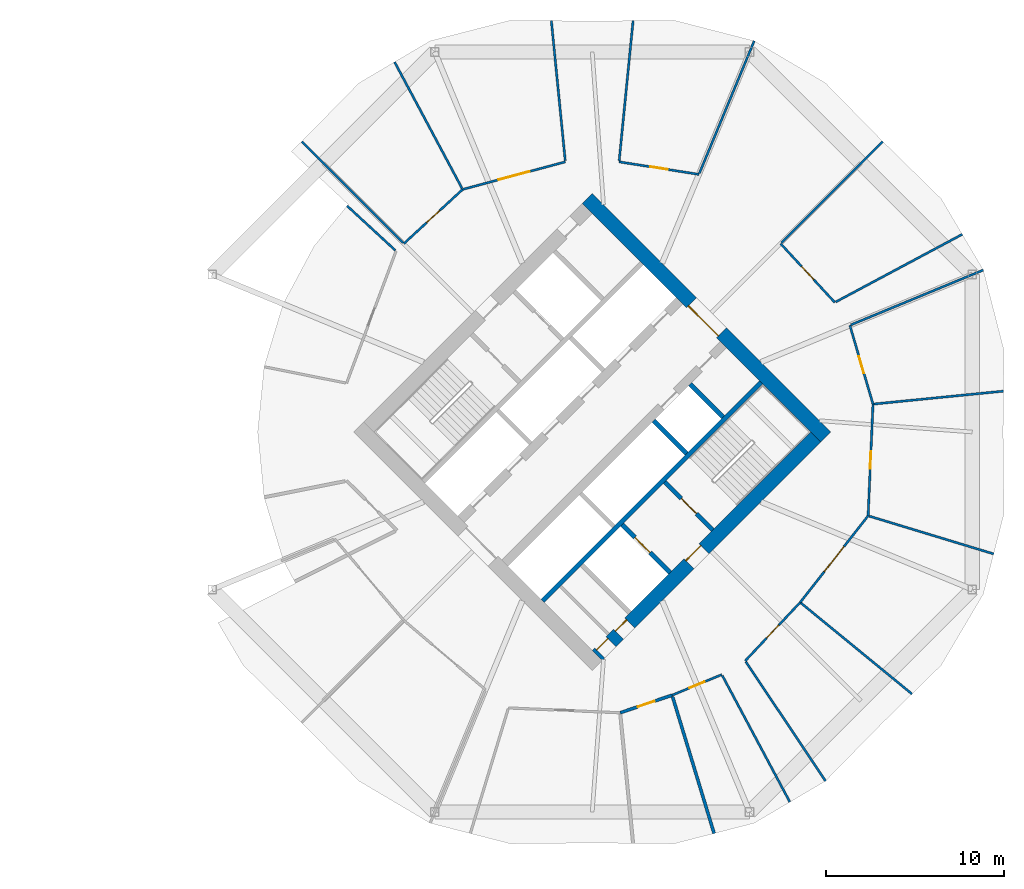
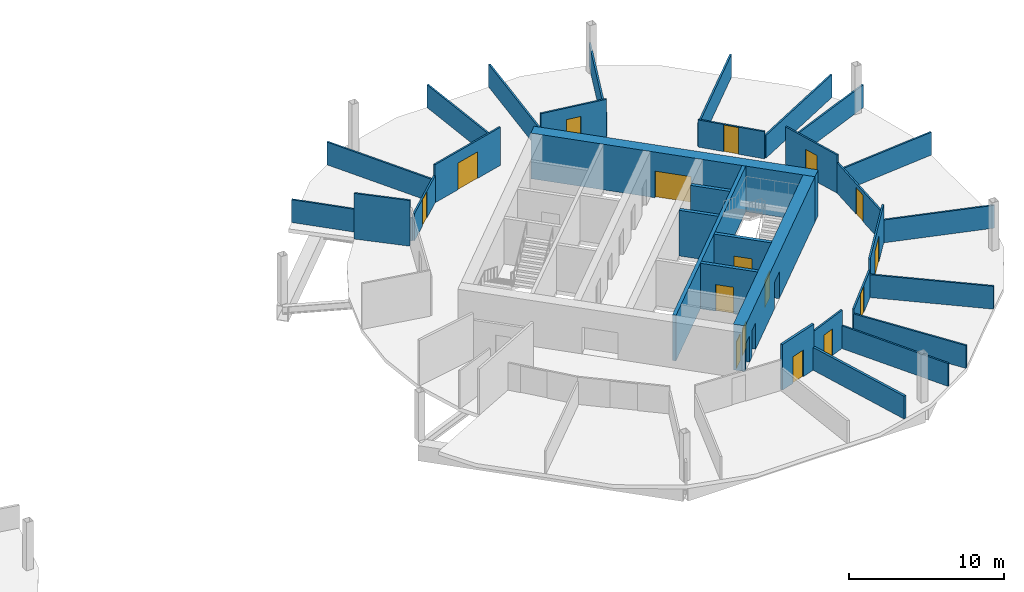
# One storey, part 7 of 9: 32 walls, 16 doors, 16 openings.
"""IFC4 building model written with IfcOpenShell, lengths in metres."""

import ifcopenshell
import ifcopenshell.guid

model = None  # the IFC model being written
_history = None  # IfcOwnerHistory: only IFC2X3 demands one
_inside = {}  # id of a spatial element -> (the spatial element, [elements in it])
_under = {}  # id of a project, library or spatial element -> (it, [spatial elements below it])
_declared = {}  # id of a project -> (the project, [libraries it declares])
_typed = {}  # id of a type object -> (the type object, [elements of that type])
_made_of = {}  # id of a material, layer set ... -> (it, [elements and type objects made of it])


def new_model(schema):
    """Start an empty IFC model of exactly this schema.

    Asked for "IFC4X3", IfcOpenShell would pick the latest addendum, in which some entities
    have other attributes; the version numbers below select the first issue.
    IFC2X3 requires an IfcOwnerHistory on every rooted entity: one is made here for all.
    """
    global model, _history
    if schema == "IFC4X3":
        model = ifcopenshell.file(schema_version=(4, 3, 0, 0))
    else:
        model = ifcopenshell.file(schema=schema)
    _inside.clear()
    _under.clear()
    _declared.clear()
    _typed.clear()
    _made_of.clear()
    _history = None
    if model.schema == "IFC2X3":
        org = make("IfcOrganization", Name="unknown")
        user = make(
            "IfcPersonAndOrganization",
            ThePerson=make("IfcPerson", FamilyName="unknown"),
            TheOrganization=org,
        )
        app = make(
            "IfcApplication",
            ApplicationDeveloper=org,
            Version="unknown",
            ApplicationFullName="unknown",
            ApplicationIdentifier="unknown",
        )
        _history = make(
            "IfcOwnerHistory",
            OwningUser=user,
            OwningApplication=app,
            ChangeAction="ADDED",
            CreationDate=0,
        )
    return model


def make(cls, **values):
    """One entity of the class cls with the attributes given. An attribute that is None is left unset."""
    return model.create_entity(
        cls, **{name: value for name, value in values.items() if value is not None}
    )


def rooted(cls, **values):
    """An entity with a GlobalId (a new one), such as an element, a storey or a relation."""
    return make(cls, GlobalId=ifcopenshell.guid.new(), OwnerHistory=_history, **values)


def si_unit(unit_type, name, prefix=None):
    """IfcSIUnit, for example si_unit("LENGTHUNIT", "METRE", prefix="MILLI")."""
    return make("IfcSIUnit", UnitType=unit_type, Prefix=prefix, Name=name)


def assignment(units):
    """IfcUnitAssignment: the units of a project."""
    return None if units is None else make("IfcUnitAssignment", Units=units)


def point(xyz):
    """IfcCartesianPoint."""
    return None if xyz is None else make("IfcCartesianPoint", Coordinates=xyz)


def direction(xyz):
    """IfcDirection."""
    return None if xyz is None else make("IfcDirection", DirectionRatios=xyz)


def frame(location, z_axis=None, x_axis=None):
    """IfcAxis2Placement3D, a coordinate frame: its origin and axes. An axis left out is left unset."""
    return make(
        "IfcAxis2Placement3D",
        Location=point(location),
        Axis=direction(z_axis),
        RefDirection=direction(x_axis),
    )


def frame_2d(location, x_axis=None):
    """IfcAxis2Placement2D, a coordinate frame in the plane: its origin and x axis."""
    return make(
        "IfcAxis2Placement2D", Location=point(location), RefDirection=direction(x_axis)
    )


def origin():
    """The frame at (0, 0, 0) with its axes left unset."""
    return frame((0.0, 0.0, 0.0))


def place(relative_to, where):
    """IfcLocalPlacement: puts the frame where relative to a parent placement (None: the world)."""
    return make(
        "IfcLocalPlacement", PlacementRelTo=relative_to, RelativePlacement=where
    )


def context(
    kind, dimensions, precision=None, world=None, true_north=None, identifier=None
):
    """IfcGeometricRepresentationContext, for example the 3D "Model" context."""
    return make(
        "IfcGeometricRepresentationContext",
        ContextIdentifier=identifier,
        ContextType=kind,
        CoordinateSpaceDimension=dimensions,
        Precision=precision,
        WorldCoordinateSystem=world,
        TrueNorth=true_north,
    )


def subcontext(parent, identifier, kind, view, scale=None):
    """IfcGeometricRepresentationSubContext, for example "Body" below "Model"."""
    return make(
        "IfcGeometricRepresentationSubContext",
        ContextIdentifier=identifier,
        ContextType=kind,
        ParentContext=parent,
        TargetScale=scale,
        TargetView=view,
    )


def project(units=None, contexts=None):
    """IfcProject with its units and contexts."""
    return rooted(
        "IfcProject",
        Name="project",
        RepresentationContexts=contexts,
        UnitsInContext=assignment(units),
    )


def spatial(cls, under=None, at=None, **own):
    """A site, building, storey or space (cls), placed at a placement, below another one or the project."""
    s = rooted(cls, ObjectPlacement=at, **own)
    if under is not None:
        _under.setdefault(under.id(), (under, []))[1].append(s)
    return s


def profile(cls, at=None, kind="AREA", **sizes):
    """A parametric profile (cls). Its sizes go by their IFC names, for example OverallWidth=200.0."""
    return make(cls, ProfileType=kind, Position=at, **sizes)


def rectangle(**sizes):
    """IfcRectangleProfileDef."""
    return profile("IfcRectangleProfileDef", **sizes)


def extrude(swept, where, along, depth):
    """IfcExtrudedAreaSolid: the profile swept, set in the frame where, extruded along a direction by depth."""
    return make(
        "IfcExtrudedAreaSolid",
        SweptArea=swept,
        Position=where,
        ExtrudedDirection=direction(along),
        Depth=depth,
    )


def shape(context_of_items, identifier, shape_type, items):
    """IfcShapeRepresentation: the items that make up one representation, for example the "Body"."""
    return make(
        "IfcShapeRepresentation",
        ContextOfItems=context_of_items,
        RepresentationIdentifier=identifier,
        RepresentationType=shape_type,
        Items=items,
    )


def material(Name=None, Category=None):
    """IfcMaterial."""
    return make("IfcMaterial", Name=Name, Category=Category)


def layer(
    of_material, thickness, ventilated=None, Name=None, Category=None, Priority=None
):
    """IfcMaterialLayer: one layer of a wall or slab, of a material (None: an air gap)."""
    return make(
        "IfcMaterialLayer",
        Material=of_material,
        LayerThickness=thickness,
        IsVentilated=ventilated,
        Name=Name,
        Category=Category,
        Priority=Priority,
    )


def layer_set(layers, Name=None):
    """IfcMaterialLayerSet."""
    return make("IfcMaterialLayerSet", MaterialLayers=layers, LayerSetName=Name)


def made_of(thing, what):
    """Note that an element or type object is made of a material, layer set ...; save() writes the relation."""
    if what is not None:
        _made_of.setdefault(what.id(), (what, []))[1].append(thing)
    return thing


def type_object(cls, material=None, **own):
    """A type object (cls), such as IfcWallType, which elements share."""
    return made_of(rooted(cls, **own), material)


def element(
    cls,
    number,
    at=None,
    inside=None,
    cuts=None,
    type_object=None,
    material=None,
    context=None,
    identifier="Body",
    shape_type=None,
    held_by="IfcProductDefinitionShape",
    body=None,
    shapes=None,
    **own,
):
    """One element of the class cls, such as IfcWall. Its Tag is "e" and its number.

    at: its placement. inside: the storey or other place that contains it. cuts: it is an
    opening in that element (IfcRelVoidsElement). A single representation is given by context,
    identifier, shape_type and body (its items); several are given by shapes. held_by: the class
    of the entity that holds the representations. save() writes the other relations.
    """
    e = rooted(cls, Tag="e%d" % number, ObjectPlacement=at, **own)
    if body is not None:
        shapes = [shape(context, identifier, shape_type, body)]
    if shapes is not None:
        e.Representation = make(held_by, Representations=shapes)
    if inside is not None:
        _inside.setdefault(inside.id(), (inside, []))[1].append(e)
    if cuts is not None:
        rooted(
            "IfcRelVoidsElement", RelatingBuildingElement=cuts, RelatedOpeningElement=e
        )
    if type_object is not None:
        _typed.setdefault(type_object.id(), (type_object, []))[1].append(e)
    return made_of(e, material)


def fill(opening, filler):
    """IfcRelFillsElement: the door or window that sits in an opening."""
    return rooted(
        "IfcRelFillsElement",
        RelatingOpeningElement=opening,
        RelatedBuildingElement=filler,
    )


def aggregate(whole, parts):
    """IfcRelAggregates: a whole, such as a stair, and the parts it consists of."""
    return rooted("IfcRelAggregates", RelatingObject=whole, RelatedObjects=parts)


def save(model, path):
    """Write the relations noted so far, then the file.

    IfcRelAggregates (storeys below a building ...), IfcRelContainedInSpatialStructure (elements
    in a storey), IfcRelDefinesByType, IfcRelAssociatesMaterial and IfcRelDeclares: one each for
    every whole, place, type object, material and project.
    """
    for whole, parts in _under.values():
        aggregate(whole, parts)
    for where, things in _inside.values():
        rooted(
            "IfcRelContainedInSpatialStructure",
            RelatedElements=things,
            RelatingStructure=where,
        )
    for kind, things in _typed.values():
        rooted("IfcRelDefinesByType", RelatedObjects=things, RelatingType=kind)
    for what, things in _made_of.values():
        rooted("IfcRelAssociatesMaterial", RelatedObjects=things, RelatingMaterial=what)
    for by, libraries in _declared.values():
        rooted("IfcRelDeclares", RelatingContext=by, RelatedDefinitions=libraries)
    model.write(path)


model = new_model("IFC4")

# Units and contexts
model_context = context("Model", 3, precision=1e-05, world=origin(), true_north=direction((0.0, 1.0)))
body_context = subcontext(model_context, "Body", "Model", "MODEL_VIEW")
ifc_project = project(units=[si_unit("LENGTHUNIT", "METRE"), si_unit("AREAUNIT", "SQUARE_METRE"), si_unit("VOLUMEUNIT", "CUBIC_METRE"), si_unit("PLANEANGLEUNIT", "RADIAN"), si_unit("MASSUNIT", "GRAM", prefix="KILO")], contexts=[model_context])

# Site, building, storey
site_placement = place(None, origin())
site = spatial("IfcSite", under=ifc_project, at=site_placement, CompositionType="ELEMENT")
building_placement = place(site_placement, origin())
building = spatial("IfcBuilding", under=site, at=building_placement, Name="Ogive Gate Towers", CompositionType="ELEMENT")
storey_placement = place(building_placement, frame((0.0, 0.0, 111.300048828125)))
storey = spatial("IfcBuildingStorey", under=building, at=storey_placement, Name="L26", CompositionType="ELEMENT", Elevation=111.300048828125)

# Wall
ifc_material_1 = material(Name="Gypsum board acoustic partition")
ifc_layer_1 = layer(ifc_material_1, 0.175048828125)
ifc_layer_set_1 = layer_set([ifc_layer_1], Name="Acoustic partition 175")
wall_type_1 = type_object("IfcWallType", Name="Acoustic partition 175", PredefinedType="PARTITIONING", material=ifc_layer_set_1)
wall_1_placement = place(storey_placement, frame((42.86376953125, -22.605712890625, 0.0), z_axis=(0.0, 0.0, 1.0), x_axis=(-0.290542582861, 0.956862062966, 0.0)))
element("IfcWall", 1, at=wall_1_placement, inside=storey, type_object=wall_type_1, Name="Partition T2-L26-019", PredefinedType="PARTITIONING", context=body_context, shape_type="SweptSolid", body=[
    extrude(rectangle(XDim=8.0517578125, YDim=0.175048828125, at=frame_2d((4.02587890625, 0.0))), origin(), (0.0, 0.0, 1.0), 1.800048828125),
])

# Wall, opening, door
wall_2_placement = place(storey_placement, frame((40.4990234375, -14.817626953125, 0.0), z_axis=(0.0, 0.0, 1.0), x_axis=(-0.947115929301, -0.320891596127, 0.0)))
wall_2 = element("IfcWall", 2, at=wall_2_placement, inside=storey, type_object=wall_type_1, Name="Partition T2-L26-035", PredefinedType="PARTITIONING", context=body_context, shape_type="SweptSolid", body=[
    extrude(rectangle(XDim=3.09130859375, YDim=0.175048828125, at=frame_2d((1.545654296875, 0.0))), origin(), (0.0, 0.0, 1.0), 3.599853515625),
])
opening_1_placement = place(wall_2_placement, frame((1.0458984375, 0.0, 0.0)))
opening_1 = element("IfcOpeningElement", 3, at=opening_1_placement, cuts=wall_2, Name="Opening T2-L26-D12", PredefinedType="OPENING", context=body_context, shape_type="SweptSolid", body=[
    extrude(rectangle(XDim=1.0, YDim=2.10009765625, at=frame_2d((0.5, 1.050048828125))), frame((0.0, 0.09765625, 0.0), z_axis=(0.0, -1.0, 0.0), x_axis=(1.0, 0.0, 0.0)), (0.0, 0.0, 1.0), 0.195068359375),
])
ifc_material_2 = material(Name="Timber door", Category="wood")
door_type_1 = type_object("IfcDoorType", Name="Door 1000", OperationType="NOTDEFINED", PredefinedType="DOOR", material=ifc_material_2)
door_1_placement = place(opening_1_placement, origin())
door_1 = element("IfcDoor", 4, at=door_1_placement, inside=storey, type_object=door_type_1, Name="Door T2-L26-D12", OperationType="SINGLE_SWING_RIGHT", OverallHeight=2.10009765625, OverallWidth=1.0, PredefinedType="DOOR", context=body_context, shape_type="SweptSolid", body=[
    extrude(rectangle(XDim=1.0, YDim=2.10009765625, at=frame_2d((0.5, 1.050048828125))), frame((0.0, 0.02490234375, 0.0), z_axis=(0.0, -1.0, 0.0), x_axis=(1.0, 0.0, 0.0)), (0.0, 0.0, 1.0), 0.050048828125),
])
fill(opening_1, door_1)

# Wall, openings, doors
ifc_material_3 = material(Name="Concrete C60/75", Category="concrete")
ifc_layer_2 = layer(ifc_material_3, 0.800048828125)
ifc_layer_set_2 = layer_set([ifc_layer_2], Name="Core wall 800 mm")
wall_type_2 = type_object("IfcWallType", Name="Core wall 800 mm", PredefinedType="SHEAR", material=ifc_layer_set_2)
wall_3_placement = place(storey_placement, frame((36.28271484375, -12.58642578125, 0.0), z_axis=(0.0, 0.0, 1.0), x_axis=(0.707106781187, 0.707106781187, 0.0)))
wall_3 = element("IfcWall", 5, at=wall_3_placement, inside=storey, type_object=wall_type_2, Name="T2 L26 Core wall 800 mm", PredefinedType="SHEAR", context=body_context, shape_type="SweptSolid", body=[
    extrude(rectangle(XDim=17.400146484375, YDim=0.800048828125, at=frame_2d((8.7001953125, 0.0))), origin(), (0.0, 0.0, 1.0), 3.599853515625),
])
opening_2_placement = place(wall_3_placement, frame((7.300048828125, 0.0, 0.0)))
opening_2 = element("IfcOpeningElement", 6, at=opening_2_placement, cuts=wall_3, Name="Opening KD-T2-L26-16", PredefinedType="OPENING", context=body_context, shape_type="SweptSolid", body=[
    extrude(rectangle(XDim=1.199951171875, YDim=2.10009765625, at=frame_2d((0.60009765625, 1.050048828125))), frame((0.0, 0.41015625, 0.0), z_axis=(0.0, -1.0, 0.0), x_axis=(1.0, 0.0, 0.0)), (0.0, 0.0, 1.0), 0.820068359375),
])
opening_3_placement = place(wall_3_placement, frame((0.199951171875, 0.0, 0.0)))
opening_3 = element("IfcOpeningElement", 7, at=opening_3_placement, cuts=wall_3, Name="Opening KD-T2-L26-18", PredefinedType="OPENING", context=body_context, shape_type="SweptSolid", body=[
    extrude(rectangle(XDim=0.89990234375, YDim=2.10009765625, at=frame_2d((0.449951171875, 1.050048828125))), frame((0.0, 0.41015625, 0.0), z_axis=(0.0, -1.0, 0.0), x_axis=(1.0, 0.0, 0.0)), (0.0, 0.0, 1.0), 0.820068359375),
])
opening_4_placement = place(wall_3_placement, frame((1.699951171875, 0.0, 0.0)))
opening_4 = element("IfcOpeningElement", 8, at=opening_4_placement, cuts=wall_3, Name="Opening KD-T2-L26-19", PredefinedType="OPENING", context=body_context, shape_type="SweptSolid", body=[
    extrude(rectangle(XDim=0.89990234375, YDim=2.10009765625, at=frame_2d((0.449951171875, 1.050048828125))), frame((0.0, 0.41015625, 0.0), z_axis=(0.0, -1.0, 0.0), x_axis=(1.0, 0.0, 0.0)), (0.0, 0.0, 1.0), 0.820068359375),
])
door_type_2 = type_object("IfcDoorType", Name="Core WC door 900 x 2100", OperationType="NOTDEFINED", PredefinedType="DOOR", material=ifc_material_2)
door_2_placement = place(opening_3_placement, origin())
door_2 = element("IfcDoor", 9, at=door_2_placement, inside=storey, type_object=door_type_2, Name="T2 L26 Core door", OperationType="SINGLE_SWING_LEFT", OverallHeight=2.10009765625, OverallWidth=0.89990234375, PredefinedType="DOOR", context=body_context, shape_type="SweptSolid", body=[
    extrude(rectangle(XDim=0.89990234375, YDim=2.10009765625, at=frame_2d((0.449951171875, 1.050048828125))), frame((0.0, 0.27490234375, 0.0), z_axis=(0.0, -1.0, 0.0), x_axis=(1.0, 0.0, 0.0)), (0.0, 0.0, 1.0), 0.050048828125),
])
fill(opening_3, door_2)
door_3_placement = place(opening_4_placement, origin())
door_3 = element("IfcDoor", 10, at=door_3_placement, inside=storey, type_object=door_type_2, Name="T2 L26 Core door", OperationType="SINGLE_SWING_RIGHT", OverallHeight=2.10009765625, OverallWidth=0.89990234375, PredefinedType="DOOR", context=body_context, shape_type="SweptSolid", body=[
    extrude(rectangle(XDim=0.89990234375, YDim=2.10009765625, at=frame_2d((0.449951171875, 1.050048828125))), frame((0.0, 0.27490234375, 0.0), z_axis=(0.0, -1.0, 0.0), x_axis=(1.0, 0.0, 0.0)), (0.0, 0.0, 1.0), 0.050048828125),
])
fill(opening_4, door_3)
ifc_material_4 = material(Name="Steel fire door", Category="steel")
door_type_3 = type_object("IfcDoorType", Name="Core door FD60S 1200 x 2100", OperationType="NOTDEFINED", PredefinedType="DOOR", material=ifc_material_4)
door_4_placement = place(opening_2_placement, origin())
door_4 = element("IfcDoor", 11, at=door_4_placement, inside=storey, type_object=door_type_3, Name="T2 L26 Fire-fighting lobby door", OperationType="SINGLE_SWING_LEFT", OverallHeight=2.10009765625, OverallWidth=1.199951171875, PredefinedType="DOOR", context=body_context, shape_type="SweptSolid", body=[
    extrude(rectangle(XDim=1.199951171875, YDim=2.10009765625, at=frame_2d((0.60009765625, 1.050048828125))), frame((0.0, 0.27490234375, 0.0), z_axis=(0.0, -1.0, 0.0), x_axis=(1.0, 0.0, 0.0)), (0.0, 0.0, 1.0), 0.050048828125),
])
fill(opening_2, door_4)

# Wall, opening, door
wall_4_placement = place(storey_placement, frame((49.152099609375, -0.28271484375, 0.0), z_axis=(0.0, 0.0, 1.0), x_axis=(-0.707106781187, 0.707106781187, 0.0)))
wall_4 = element("IfcWall", 12, at=wall_4_placement, inside=storey, type_object=wall_type_2, Name="T2 L26 Core wall 800 mm", PredefinedType="SHEAR", context=body_context, shape_type="SweptSolid", body=[
    extrude(rectangle(XDim=18.999755859375, YDim=0.800048828125, at=frame_2d((9.5, 0.0))), origin(), (0.0, 0.0, 1.0), 3.599853515625),
])
opening_5_placement = place(wall_4_placement, frame((8.300048828125, 0.0, 0.0)))
opening_5 = element("IfcOpeningElement", 13, at=opening_5_placement, cuts=wall_4, Name="Opening KD-T2-L26-02", PredefinedType="OPENING", context=body_context, shape_type="SweptSolid", body=[
    extrude(rectangle(XDim=2.39990234375, YDim=2.10009765625, at=frame_2d((1.199951171875, 1.050048828125))), frame((0.0, 0.41015625, 0.0), z_axis=(0.0, -1.0, 0.0), x_axis=(1.0, 0.0, 0.0)), (0.0, 0.0, 1.0), 0.820068359375),
])
door_type_4 = type_object("IfcDoorType", Name="Core double door FD60S 2400 x 2100", OperationType="DOUBLE_DOOR_SINGLE_SWING", PredefinedType="DOOR", material=ifc_material_4)
door_5_placement = place(opening_5_placement, origin())
door_5 = element("IfcDoor", 14, at=door_5_placement, inside=storey, type_object=door_type_4, Name="T2 L26 Core door double", OperationType="DOUBLE_DOOR_SINGLE_SWING", OverallHeight=2.10009765625, OverallWidth=2.39990234375, PredefinedType="DOOR", context=body_context, shape_type="SweptSolid", body=[
    extrude(rectangle(XDim=2.39990234375, YDim=2.10009765625, at=frame_2d((1.199951171875, 1.050048828125))), frame((0.0, 0.27490234375, 0.0), z_axis=(0.0, -1.0, 0.0), x_axis=(1.0, 0.0, 0.0)), (0.0, 0.0, 1.0), 0.050048828125),
])
fill(opening_5, door_5)

# Walls
ifc_material_5 = material(Name="Gypsum board partition")
ifc_layer_3 = layer(ifc_material_5, 0.125)
ifc_layer_set_3 = layer_set([ifc_layer_3], Name="Partition 125")
wall_type_3 = type_object("IfcWallType", Name="Partition 125", PredefinedType="PARTITIONING", material=ifc_layer_set_3)
wall_5_placement = place(storey_placement, frame((59.162353515625, 2.302001953125, 0.0), z_axis=(0.0, 0.0, 1.0), x_axis=(-0.99509705675, -0.098903223643, 0.0)))
element("IfcWall", 15, at=wall_5_placement, inside=storey, type_object=wall_type_3, Name="Partition T2-L26-001", PredefinedType="PARTITIONING", context=body_context, shape_type="SweptSolid", body=[
    extrude(rectangle(XDim=7.326416015625, YDim=0.125, at=frame_2d((3.6630859375, 0.0))), origin(), (0.0, 0.0, 1.0), 1.800048828125),
])
for number, where, z_axis, x_axis, name in (
    (16, (58.025390625, 9.123046875, 0.0), (0.0, 0.0, 1.0), (-0.923886042226, -0.382667716145, 0.0), "Partition T2-L26-002"),
    (17, (56.837890625, 11.13134765625, 0.0), (0.0, 0.0, 1.0), (-0.882040628853, -0.471173353505, 0.0), "Partition T2-L26-003"),
    (18, (52.36181640625, 16.36181640625, 0.0), (0.0, 0.0, 1.0), (-0.707106781187, -0.707106781187, 0.0), "Partition T2-L26-004"),
    (19, (45.123046875, 22.025390625, 0.0), (0.0, 0.0, 1.0), (-0.382667716145, -0.923886042226, 0.0), "Partition T2-L26-005"),
):
    element("IfcWall", number, at=place(storey_placement, frame(where, z_axis=z_axis, x_axis=x_axis)), inside=storey, type_object=wall_type_3, Name=name, PredefinedType="PARTITIONING", context=body_context, shape_type="SweptSolid", body=[
        extrude(rectangle(XDim=8.076416015625, YDim=0.125, at=frame_2d((4.0380859375, 0.0))), origin(), (0.0, 0.0, 1.0), 1.800048828125),
    ])
for number, where, z_axis, x_axis, name in (
    (20, (38.302001953125, 23.162353515625, 0.0), (0.0, 0.0, 1.0), (-0.09887242323, -0.995100117538, 0.0), "Partition T2-L26-006"),
    (21, (33.697998046875, 23.162353515625, 0.0), (0.0, 0.0, 1.0), (0.09887242323, -0.995100117538, 0.0), "Partition T2-L26-007"),
):
    element("IfcWall", number, at=place(storey_placement, frame(where, z_axis=z_axis, x_axis=x_axis)), inside=storey, type_object=wall_type_3, Name=name, PredefinedType="PARTITIONING", context=body_context, shape_type="SweptSolid", body=[
        extrude(rectangle(XDim=7.92626953125, YDim=0.125, at=frame_2d((3.963134765625, 0.0))), origin(), (0.0, 0.0, 1.0), 1.800048828125),
    ])
for number, where, z_axis, x_axis, name in (
    (22, (24.86865234375, 20.837890625, 0.0), (0.0, 0.0, 1.0), (0.471173353505, -0.882040628853, 0.0), "Partition T2-L26-008"),
    (23, (19.63818359375, 16.36181640625, 0.0), (0.0, 0.0, 1.0), (0.707106781187, -0.707106781187, 0.0), "Partition T2-L26-009"),
):
    element("IfcWall", number, at=place(storey_placement, frame(where, z_axis=z_axis, x_axis=x_axis)), inside=storey, type_object=wall_type_3, Name=name, PredefinedType="PARTITIONING", context=body_context, shape_type="SweptSolid", body=[
        extrude(rectangle(XDim=8.076416015625, YDim=0.125, at=frame_2d((4.0380859375, 0.0))), origin(), (0.0, 0.0, 1.0), 1.800048828125),
    ])
wall_6_placement = place(storey_placement, frame((22.197509765625, 12.735107421875, 0.0), z_axis=(0.0, 0.0, 1.0), x_axis=(0.734947989993, -0.678123478435, 0.0)))
element("IfcWall", 24, at=wall_6_placement, inside=storey, type_object=wall_type_3, Name="Partition T2-L26-010", PredefinedType="PARTITIONING", context=body_context, shape_type="SweptSolid", body=[
    extrude(rectangle(XDim=3.690673828125, YDim=0.125, at=frame_2d((1.84521484375, 0.0))), origin(), (0.0, 0.0, 1.0), 3.599853515625),
])
wall_7_placement = place(storey_placement, frame((47.13134765625, -20.837890625, 0.0), z_axis=(0.0, 0.0, 1.0), x_axis=(-0.471173353505, 0.882040628853, 0.0)))
element("IfcWall", 25, at=wall_7_placement, inside=storey, type_object=wall_type_3, Name="Partition T2-L26-020", PredefinedType="PARTITIONING", context=body_context, shape_type="SweptSolid", body=[
    extrude(rectangle(XDim=8.076416015625, YDim=0.125, at=frame_2d((4.0380859375, 0.0))), origin(), (0.0, 0.0, 1.0), 1.800048828125),
])
for number, where, z_axis, x_axis, name in (
    (26, (49.139892578125, -19.6513671875, 0.0), (0.0, 0.0, 1.0), (-0.555864597158, 0.831272849086, 0.0), "Partition T2-L26-021"),
    (27, (54.006103515625, -14.75048828125, 0.0), (0.0, 0.0, 1.0), (-0.773573317024, 0.633706811695, 0.0), "Partition T2-L26-022"),
):
    element("IfcWall", number, at=place(storey_placement, frame(where, z_axis=z_axis, x_axis=x_axis)), inside=storey, type_object=wall_type_3, Name=name, PredefinedType="PARTITIONING", context=body_context, shape_type="SweptSolid", body=[
        extrude(rectangle(XDim=8.07666015625, YDim=0.125, at=frame_2d((4.038330078125, 0.0))), origin(), (0.0, 0.0, 1.0), 1.800048828125),
    ])
wall_8_placement = place(storey_placement, frame((58.605712890625, -6.86376953125, 0.0), z_axis=(0.0, 0.0, 1.0), x_axis=(-0.956862546467, 0.290540990515, 0.0)))
element("IfcWall", 28, at=wall_8_placement, inside=storey, type_object=wall_type_3, Name="Partition T2-L26-023", PredefinedType="PARTITIONING", context=body_context, shape_type="SweptSolid", body=[
    extrude(rectangle(XDim=7.32666015625, YDim=0.125, at=frame_2d((3.663330078125, 0.0))), origin(), (0.0, 0.0, 1.0), 1.800048828125),
])

# Wall, opening, door
wall_9_placement = place(storey_placement, frame((25.393310546875, 10.606689453125, 0.0), z_axis=(0.0, 0.0, 1.0), x_axis=(0.73518166426, 0.677870135451, 0.0)))
wall_9 = element("IfcWall", 29, at=wall_9_placement, inside=storey, type_object=wall_type_3, Name="Partition T2-L26-026", PredefinedType="PARTITIONING", context=body_context, shape_type="SweptSolid", body=[
    extrude(rectangle(XDim=4.502685546875, YDim=0.125, at=frame_2d((2.25146484375, 0.0))), origin(), (0.0, 0.0, 1.0), 2.139892578125),
])
opening_6_placement = place(wall_9_placement, frame((1.7509765625, 0.0, 0.0)))
opening_6 = element("IfcOpeningElement", 30, at=opening_6_placement, cuts=wall_9, Name="Opening T2-L26-D03", PredefinedType="OPENING", context=body_context, shape_type="SweptSolid", body=[
    extrude(rectangle(XDim=1.0, YDim=2.10009765625, at=frame_2d((0.5, 1.050048828125))), frame((0.0, 0.072509765625, 0.0), z_axis=(0.0, -1.0, 0.0), x_axis=(1.0, 0.0, 0.0)), (0.0, 0.0, 1.0), 0.14501953125),
])
door_6_placement = place(opening_6_placement, origin())
door_6 = element("IfcDoor", 31, at=door_6_placement, inside=storey, type_object=door_type_1, Name="Door T2-L26-D03", OperationType="SINGLE_SWING_LEFT", OverallHeight=2.10009765625, OverallWidth=1.0, PredefinedType="DOOR", context=body_context, shape_type="SweptSolid", body=[
    extrude(rectangle(XDim=1.0, YDim=2.10009765625, at=frame_2d((0.5, 1.050048828125))), frame((0.0, 0.02490234375, 0.0), z_axis=(0.0, -1.0, 0.0), x_axis=(1.0, 0.0, 0.0)), (0.0, 0.0, 1.0), 0.050048828125),
])
fill(opening_6, door_6)

wall_10_placement = place(storey_placement, frame((28.70361328125, 13.658935546875, 0.0), z_axis=(0.0, 0.0, 1.0), x_axis=(0.965767901154, 0.259407712107, 0.0)))
wall_10 = element("IfcWall", 32, at=wall_10_placement, inside=storey, type_object=wall_type_3, Name="Partition T2-L26-027", PredefinedType="PARTITIONING", context=body_context, shape_type="SweptSolid", body=[
    extrude(rectangle(XDim=5.989501953125, YDim=0.125, at=frame_2d((2.99462890625, 0.0))), origin(), (0.0, 0.0, 1.0), 3.010009765625),
])
opening_7_placement = place(wall_10_placement, frame((2.094970703125, 0.0, 0.0)))
opening_7 = element("IfcOpeningElement", 33, at=opening_7_placement, cuts=wall_10, Name="Opening T2-L26-D04", PredefinedType="OPENING", context=body_context, shape_type="SweptSolid", body=[
    extrude(rectangle(XDim=1.800048828125, YDim=2.10009765625, at=frame_2d((0.89990234375, 1.050048828125))), frame((0.0, 0.072509765625, 0.0), z_axis=(0.0, -1.0, 0.0), x_axis=(1.0, 0.0, 0.0)), (0.0, 0.0, 1.0), 0.14501953125),
])
door_type_5 = type_object("IfcDoorType", Name="Door pair 1800", OperationType="NOTDEFINED", PredefinedType="DOOR", material=ifc_material_2)
door_7_placement = place(opening_7_placement, origin())
door_7 = element("IfcDoor", 34, at=door_7_placement, inside=storey, type_object=door_type_5, Name="Door T2-L26-D04", OperationType="DOUBLE_DOOR_DOUBLE_SWING", OverallHeight=2.10009765625, OverallWidth=1.800048828125, PredefinedType="DOOR", context=body_context, shape_type="SweptSolid", body=[
    extrude(rectangle(XDim=1.800048828125, YDim=2.10009765625, at=frame_2d((0.89990234375, 1.050048828125))), frame((0.0, 0.02490234375, 0.0), z_axis=(0.0, -1.0, 0.0), x_axis=(1.0, 0.0, 0.0)), (0.0, 0.0, 1.0), 0.050048828125),
])
fill(opening_7, door_7)

wall_11_placement = place(storey_placement, frame((37.511962890625, 15.212646484375, 0.0), z_axis=(0.0, 0.0, 1.0), x_axis=(0.987871014324, -0.155276717693, 0.0)))
wall_11 = element("IfcWall", 35, at=wall_11_placement, inside=storey, type_object=wall_type_3, Name="Partition T2-L26-028", PredefinedType="PARTITIONING", context=body_context, shape_type="SweptSolid", body=[
    extrude(rectangle(XDim=4.5517578125, YDim=0.125, at=frame_2d((2.27587890625, 0.0))), origin(), (0.0, 0.0, 1.0), 3.010009765625),
])
opening_8_placement = place(wall_11_placement, frame((1.77587890625, 0.0, 0.0)))
opening_8 = element("IfcOpeningElement", 36, at=opening_8_placement, cuts=wall_11, Name="Opening T2-L26-D05", PredefinedType="OPENING", context=body_context, shape_type="SweptSolid", body=[
    extrude(rectangle(XDim=1.0, YDim=2.10009765625, at=frame_2d((0.5, 1.050048828125))), frame((0.0, 0.072509765625, 0.0), z_axis=(0.0, -1.0, 0.0), x_axis=(1.0, 0.0, 0.0)), (0.0, 0.0, 1.0), 0.14501953125),
])
door_8_placement = place(opening_8_placement, origin())
door_8 = element("IfcDoor", 37, at=door_8_placement, inside=storey, type_object=door_type_1, Name="Door T2-L26-D05", OperationType="SINGLE_SWING_RIGHT", OverallHeight=2.10009765625, OverallWidth=1.0, PredefinedType="DOOR", context=body_context, shape_type="SweptSolid", body=[
    extrude(rectangle(XDim=1.0, YDim=2.10009765625, at=frame_2d((0.5, 1.050048828125))), frame((0.0, 0.02490234375, 0.0), z_axis=(0.0, -1.0, 0.0), x_axis=(1.0, 0.0, 0.0)), (0.0, 0.0, 1.0), 0.050048828125),
])
fill(opening_8, door_8)

wall_12_placement = place(storey_placement, frame((46.606689453125, 10.606689453125, 0.0), z_axis=(0.0, 0.0, 1.0), x_axis=(0.677870135451, -0.73518166426, 0.0)))
wall_12 = element("IfcWall", 38, at=wall_12_placement, inside=storey, type_object=wall_type_3, Name="Partition T2-L26-029", PredefinedType="PARTITIONING", context=body_context, shape_type="SweptSolid", body=[
    extrude(rectangle(XDim=4.502685546875, YDim=0.125, at=frame_2d((2.25146484375, 0.0))), origin(), (0.0, 0.0, 1.0), 2.139892578125),
])
opening_9_placement = place(wall_12_placement, frame((1.7509765625, 0.0, 0.0)))
opening_9 = element("IfcOpeningElement", 39, at=opening_9_placement, cuts=wall_12, Name="Opening T2-L26-D06", PredefinedType="OPENING", context=body_context, shape_type="SweptSolid", body=[
    extrude(rectangle(XDim=1.0, YDim=2.10009765625, at=frame_2d((0.5, 1.050048828125))), frame((0.0, 0.072509765625, 0.0), z_axis=(0.0, -1.0, 0.0), x_axis=(1.0, 0.0, 0.0)), (0.0, 0.0, 1.0), 0.14501953125),
])
door_9_placement = place(opening_9_placement, origin())
door_9 = element("IfcDoor", 40, at=door_9_placement, inside=storey, type_object=door_type_1, Name="Door T2-L26-D06", OperationType="SINGLE_SWING_RIGHT", OverallHeight=2.10009765625, OverallWidth=1.0, PredefinedType="DOOR", context=body_context, shape_type="SweptSolid", body=[
    extrude(rectangle(XDim=1.0, YDim=2.10009765625, at=frame_2d((0.5, 1.050048828125))), frame((0.0, 0.02490234375, 0.0), z_axis=(0.0, -1.0, 0.0), x_axis=(1.0, 0.0, 0.0)), (0.0, 0.0, 1.0), 0.050048828125),
])
fill(opening_9, door_9)

wall_13_placement = place(storey_placement, frame((50.505859375, 6.008544921875, 0.0), z_axis=(0.0, 0.0, 1.0), x_axis=(0.281894800905, -0.959445319559, 0.0)))
wall_13 = element("IfcWall", 41, at=wall_13_placement, inside=storey, type_object=wall_type_3, Name="Partition T2-L26-030", PredefinedType="PARTITIONING", context=body_context, shape_type="SweptSolid", body=[
    extrude(rectangle(XDim=4.624755859375, YDim=0.125, at=frame_2d((2.3125, 0.0))), origin(), (0.0, 0.0, 1.0), 3.010009765625),
])
opening_10_placement = place(wall_13_placement, frame((1.81201171875, 0.0, 0.0)))
opening_10 = element("IfcOpeningElement", 42, at=opening_10_placement, cuts=wall_13, Name="Opening T2-L26-D07", PredefinedType="OPENING", context=body_context, shape_type="SweptSolid", body=[
    extrude(rectangle(XDim=1.0, YDim=2.10009765625, at=frame_2d((0.5, 1.050048828125))), frame((0.0, 0.072509765625, 0.0), z_axis=(0.0, -1.0, 0.0), x_axis=(1.0, 0.0, 0.0)), (0.0, 0.0, 1.0), 0.14501953125),
])
door_10_placement = place(opening_10_placement, origin())
door_10 = element("IfcDoor", 43, at=door_10_placement, inside=storey, type_object=door_type_1, Name="Door T2-L26-D07", OperationType="SINGLE_SWING_RIGHT", OverallHeight=2.10009765625, OverallWidth=1.0, PredefinedType="DOOR", context=body_context, shape_type="SweptSolid", body=[
    extrude(rectangle(XDim=1.0, YDim=2.10009765625, at=frame_2d((0.5, 1.050048828125))), frame((0.0, 0.02490234375, 0.0), z_axis=(0.0, -1.0, 0.0), x_axis=(1.0, 0.0, 0.0)), (0.0, 0.0, 1.0), 0.050048828125),
])
fill(opening_10, door_10)

wall_14_placement = place(storey_placement, frame((51.8095703125, 1.5712890625, 0.0), z_axis=(0.0, 0.0, 1.0), x_axis=(-0.043560104735, -0.999050808155, 0.0)))
wall_14 = element("IfcWall", 44, at=wall_14_placement, inside=storey, type_object=wall_type_3, Name="Partition T2-L26-031", PredefinedType="PARTITIONING", context=body_context, shape_type="SweptSolid", body=[
    extrude(rectangle(XDim=6.2939453125, YDim=0.125, at=frame_2d((3.14697265625, 0.0))), origin(), (0.0, 0.0, 1.0), 2.39990234375),
])
opening_11_placement = place(wall_14_placement, frame((2.64697265625, 0.0, 0.0)))
opening_11 = element("IfcOpeningElement", 45, at=opening_11_placement, cuts=wall_14, Name="Opening T2-L26-D08", PredefinedType="OPENING", context=body_context, shape_type="SweptSolid", body=[
    extrude(rectangle(XDim=1.0, YDim=2.10009765625, at=frame_2d((0.5, 1.050048828125))), frame((0.0, 0.072509765625, 0.0), z_axis=(0.0, -1.0, 0.0), x_axis=(1.0, 0.0, 0.0)), (0.0, 0.0, 1.0), 0.14501953125),
])
door_11_placement = place(opening_11_placement, origin())
door_11 = element("IfcDoor", 46, at=door_11_placement, inside=storey, type_object=door_type_1, Name="Door T2-L26-D08", OperationType="SINGLE_SWING_RIGHT", OverallHeight=2.10009765625, OverallWidth=1.0, PredefinedType="DOOR", context=body_context, shape_type="SweptSolid", body=[
    extrude(rectangle(XDim=1.0, YDim=2.10009765625, at=frame_2d((0.5, 1.050048828125))), frame((0.0, 0.02490234375, 0.0), z_axis=(0.0, -1.0, 0.0), x_axis=(1.0, 0.0, 0.0)), (0.0, 0.0, 1.0), 0.050048828125),
])
fill(opening_11, door_11)

wall_15_placement = place(storey_placement, frame((51.535400390625, -4.716796875, 0.0), z_axis=(0.0, 0.0, 1.0), x_axis=(-0.617254226553, -0.786763763656, 0.0)))
wall_15 = element("IfcWall", 47, at=wall_15_placement, inside=storey, type_object=wall_type_3, Name="Partition T2-L26-032", PredefinedType="PARTITIONING", context=body_context, shape_type="SweptSolid", body=[
    extrude(rectangle(XDim=6.197509765625, YDim=0.125, at=frame_2d((3.0986328125, 0.0))), origin(), (0.0, 0.0, 1.0), 3.010009765625),
])
opening_12_placement = place(wall_15_placement, frame((2.198974609375, 0.0, 0.0)))
opening_12 = element("IfcOpeningElement", 48, at=opening_12_placement, cuts=wall_15, Name="Opening T2-L26-D09", PredefinedType="OPENING", context=body_context, shape_type="SweptSolid", body=[
    extrude(rectangle(XDim=1.800048828125, YDim=2.10009765625, at=frame_2d((0.89990234375, 1.050048828125))), frame((0.0, 0.072509765625, 0.0), z_axis=(0.0, -1.0, 0.0), x_axis=(1.0, 0.0, 0.0)), (0.0, 0.0, 1.0), 0.14501953125),
])
door_12_placement = place(opening_12_placement, origin())
door_12 = element("IfcDoor", 49, at=door_12_placement, inside=storey, type_object=door_type_5, Name="Door T2-L26-D09", OperationType="DOUBLE_DOOR_DOUBLE_SWING", OverallHeight=2.10009765625, OverallWidth=1.800048828125, PredefinedType="DOOR", context=body_context, shape_type="SweptSolid", body=[
    extrude(rectangle(XDim=1.800048828125, YDim=2.10009765625, at=frame_2d((0.89990234375, 1.050048828125))), frame((0.0, 0.02490234375, 0.0), z_axis=(0.0, -1.0, 0.0), x_axis=(1.0, 0.0, 0.0)), (0.0, 0.0, 1.0), 0.050048828125),
])
fill(opening_12, door_12)

wall_16_placement = place(storey_placement, frame((47.7099609375, -9.5927734375, 0.0), z_axis=(0.0, 0.0, 1.0), x_axis=(-0.684801570009, -0.728729586138, 0.0)))
wall_16 = element("IfcWall", 50, at=wall_16_placement, inside=storey, type_object=wall_type_3, Name="Partition T2-L26-033", PredefinedType="PARTITIONING", context=body_context, shape_type="SweptSolid", body=[
    extrude(rectangle(XDim=4.5185546875, YDim=0.125, at=frame_2d((2.25927734375, 0.0))), origin(), (0.0, 0.0, 1.0), 2.139892578125),
])
opening_13_placement = place(wall_16_placement, frame((1.759033203125, 0.0, 0.0)))
opening_13 = element("IfcOpeningElement", 51, at=opening_13_placement, cuts=wall_16, Name="Opening T2-L26-D10", PredefinedType="OPENING", context=body_context, shape_type="SweptSolid", body=[
    extrude(rectangle(XDim=1.0, YDim=2.10009765625, at=frame_2d((0.5, 1.050048828125))), frame((0.0, 0.072509765625, 0.0), z_axis=(0.0, -1.0, 0.0), x_axis=(1.0, 0.0, 0.0)), (0.0, 0.0, 1.0), 0.14501953125),
])
door_13_placement = place(opening_13_placement, origin())
door_13 = element("IfcDoor", 52, at=door_13_placement, inside=storey, type_object=door_type_1, Name="Door T2-L26-D10", OperationType="SINGLE_SWING_LEFT", OverallHeight=2.10009765625, OverallWidth=1.0, PredefinedType="DOOR", context=body_context, shape_type="SweptSolid", body=[
    extrude(rectangle(XDim=1.0, YDim=2.10009765625, at=frame_2d((0.5, 1.050048828125))), frame((0.0, 0.02490234375, 0.0), z_axis=(0.0, -1.0, 0.0), x_axis=(1.0, 0.0, 0.0)), (0.0, 0.0, 1.0), 0.050048828125),
])
fill(opening_13, door_13)

wall_17_placement = place(storey_placement, frame((43.29638671875, -13.658935546875, 0.0), z_axis=(0.0, 0.0, 1.0), x_axis=(-0.923881214391, -0.382679371923, 0.0)))
wall_17 = element("IfcWall", 53, at=wall_17_placement, inside=storey, type_object=wall_type_3, Name="Partition T2-L26-034", PredefinedType="PARTITIONING", context=body_context, shape_type="SweptSolid", body=[
    extrude(rectangle(XDim=3.02783203125, YDim=0.125, at=frame_2d((1.513916015625, 0.0))), origin(), (0.0, 0.0, 1.0), 3.010009765625),
])
opening_14_placement = place(wall_17_placement, frame((1.06396484375, 0.0, 0.0)))
opening_14 = element("IfcOpeningElement", 54, at=opening_14_placement, cuts=wall_17, Name="Opening T2-L26-D11", PredefinedType="OPENING", context=body_context, shape_type="SweptSolid", body=[
    extrude(rectangle(XDim=0.89990234375, YDim=2.10009765625, at=frame_2d((0.449951171875, 1.050048828125))), frame((0.0, 0.072509765625, 0.0), z_axis=(0.0, -1.0, 0.0), x_axis=(1.0, 0.0, 0.0)), (0.0, 0.0, 1.0), 0.14501953125),
])
door_type_6 = type_object("IfcDoorType", Name="Door 900", OperationType="NOTDEFINED", PredefinedType="DOOR", material=ifc_material_2)
door_14_placement = place(opening_14_placement, origin())
door_14 = element("IfcDoor", 55, at=door_14_placement, inside=storey, type_object=door_type_6, Name="Door T2-L26-D11", OperationType="SINGLE_SWING_LEFT", OverallHeight=2.10009765625, OverallWidth=0.89990234375, PredefinedType="DOOR", context=body_context, shape_type="SweptSolid", body=[
    extrude(rectangle(XDim=0.89990234375, YDim=2.10009765625, at=frame_2d((0.449951171875, 1.050048828125))), frame((0.0, 0.02490234375, 0.0), z_axis=(0.0, -1.0, 0.0), x_axis=(1.0, 0.0, 0.0)), (0.0, 0.0, 1.0), 0.050048828125),
])
fill(opening_14, door_14)

# Wall
ifc_layer_4 = layer(ifc_material_3, 0.25)
ifc_layer_set_4 = layer_set([ifc_layer_4], Name="Shaft wall 250 mm")
wall_type_4 = type_object("IfcWallType", Name="Shaft wall 250 mm", PredefinedType="SHEAR", material=ifc_layer_set_4)
wall_18_placement = place(storey_placement, frame((33.206787109375, -9.510498046875, 0.0), z_axis=(0.0, 0.0, 1.0), x_axis=(0.707106781187, 0.707106781187, 0.0)))
element("IfcWall", 56, at=wall_18_placement, inside=storey, type_object=wall_type_4, Name="T2 L26 Shaft wall 250 mm", PredefinedType="SHEAR", context=body_context, shape_type="SweptSolid", body=[
    extrude(rectangle(XDim=17.400146484375, YDim=0.25, at=frame_2d((8.7001953125, 0.0))), origin(), (0.0, 0.0, 1.0), 3.599853515625),
])

# Wall, opening, door
wall_19_placement = place(storey_placement, frame((40.384033203125, -7.919677734375, 0.0), z_axis=(0.0, 0.0, 1.0), x_axis=(-0.707074866995, 0.707138693938, 0.0)))
wall_19 = element("IfcWall", 57, at=wall_19_placement, inside=storey, type_object=wall_type_4, Name="T2 L26 Shaft wall 250 mm", PredefinedType="SHEAR", context=body_context, shape_type="SweptSolid", body=[
    extrude(rectangle(XDim=3.824951171875, YDim=0.25, at=frame_2d((1.91259765625, 0.0))), origin(), (0.0, 0.0, 1.0), 3.599853515625),
])
opening_15_placement = place(wall_19_placement, frame((1.60009765625, 0.0, 0.0)))
opening_15 = element("IfcOpeningElement", 58, at=opening_15_placement, cuts=wall_19, Name="Opening LD-T2-L26-11", PredefinedType="OPENING", context=body_context, shape_type="SweptSolid", body=[
    extrude(rectangle(XDim=1.199951171875, YDim=2.10009765625, at=frame_2d((0.60009765625, 1.050048828125))), frame((0.0, 0.135009765625, 0.0), z_axis=(0.0, -1.0, 0.0), x_axis=(1.0, 0.0, 0.0)), (0.0, 0.0, 1.0), 0.27001953125),
])
ifc_material_6 = material(Name="Stainless steel landing door", Category="steel")
door_type_7 = type_object("IfcDoorType", Name="Landing door 1200 x 2100", OperationType="SLIDING_TO_LEFT", PredefinedType="DOOR", material=ifc_material_6)
door_15_placement = place(opening_15_placement, origin())
door_15 = element("IfcDoor", 59, at=door_15_placement, inside=storey, type_object=door_type_7, Name="T2 L26 Lift landing door FF2", OperationType="SLIDING_TO_LEFT", OverallHeight=2.10009765625, OverallWidth=1.199951171875, PredefinedType="DOOR", context=body_context, shape_type="SweptSolid", body=[
    extrude(rectangle(XDim=1.199951171875, YDim=2.10009765625, at=frame_2d((0.60009765625, 1.050048828125))), frame((0.0, 0.02490234375, 0.0), z_axis=(0.0, -1.0, 0.0), x_axis=(1.0, 0.0, 0.0)), (0.0, 0.0, 1.0), 0.050048828125),
])
fill(opening_15, door_15)

wall_20_placement = place(storey_placement, frame((42.7880859375, -5.515380859375, 0.0), z_axis=(0.0, 0.0, 1.0), x_axis=(-0.707106781187, 0.707106781187, 0.0)))
wall_20 = element("IfcWall", 60, at=wall_20_placement, inside=storey, type_object=wall_type_4, Name="T2 L26 Shaft wall 250 mm", PredefinedType="SHEAR", context=body_context, shape_type="SweptSolid", body=[
    extrude(rectangle(XDim=3.824951171875, YDim=0.25, at=frame_2d((1.91259765625, 0.0))), origin(), (0.0, 0.0, 1.0), 3.599853515625),
])
opening_16_placement = place(wall_20_placement, frame((1.300048828125, 0.0, 0.0)))
opening_16 = element("IfcOpeningElement", 61, at=opening_16_placement, cuts=wall_20, Name="Opening KD-T2-L26-14", PredefinedType="OPENING", context=body_context, shape_type="SweptSolid", body=[
    extrude(rectangle(XDim=1.199951171875, YDim=2.10009765625, at=frame_2d((0.60009765625, 1.050048828125))), frame((0.0, 0.135009765625, 0.0), z_axis=(0.0, -1.0, 0.0), x_axis=(1.0, 0.0, 0.0)), (0.0, 0.0, 1.0), 0.27001953125),
])
door_16_placement = place(opening_16_placement, origin())
door_16 = element("IfcDoor", 62, at=door_16_placement, inside=storey, type_object=door_type_3, Name="T2 L26 Stair door", OperationType="SINGLE_SWING_LEFT", OverallHeight=2.10009765625, OverallWidth=1.199951171875, PredefinedType="DOOR", context=body_context, shape_type="SweptSolid", body=[
    extrude(rectangle(XDim=1.199951171875, YDim=2.10009765625, at=frame_2d((0.60009765625, 1.050048828125))), frame((0.0, 0.02490234375, 0.0), z_axis=(0.0, -1.0, 0.0), x_axis=(1.0, 0.0, 0.0)), (0.0, 0.0, 1.0), 0.050048828125),
])
fill(opening_16, door_16)

# Walls
for number, where, z_axis, x_axis, name in (
    (63, (41.321044921875, -1.2197265625, 0.0), (0.0, 0.0, 1.0), (-0.707106781187, 0.707106781187, 0.0), "T2 L26 Shaft wall 250 mm"),
    (64, (43.37158203125, 0.830810546875, 0.0), (0.0, 0.0, 1.0), (-0.707106781187, 0.707106781187, 0.0), "T2 L26 Shaft wall 250 mm"),
):
    element("IfcWall", number, at=place(storey_placement, frame(where, z_axis=z_axis, x_axis=x_axis)), inside=storey, type_object=wall_type_4, Name=name, PredefinedType="SHEAR", context=body_context, shape_type="SweptSolid", body=[
        extrude(rectangle(XDim=2.625, YDim=0.25, at=frame_2d((1.3125, 0.0))), origin(), (0.0, 0.0, 1.0), 3.599853515625),
    ])

save(model, "model.ifc")
